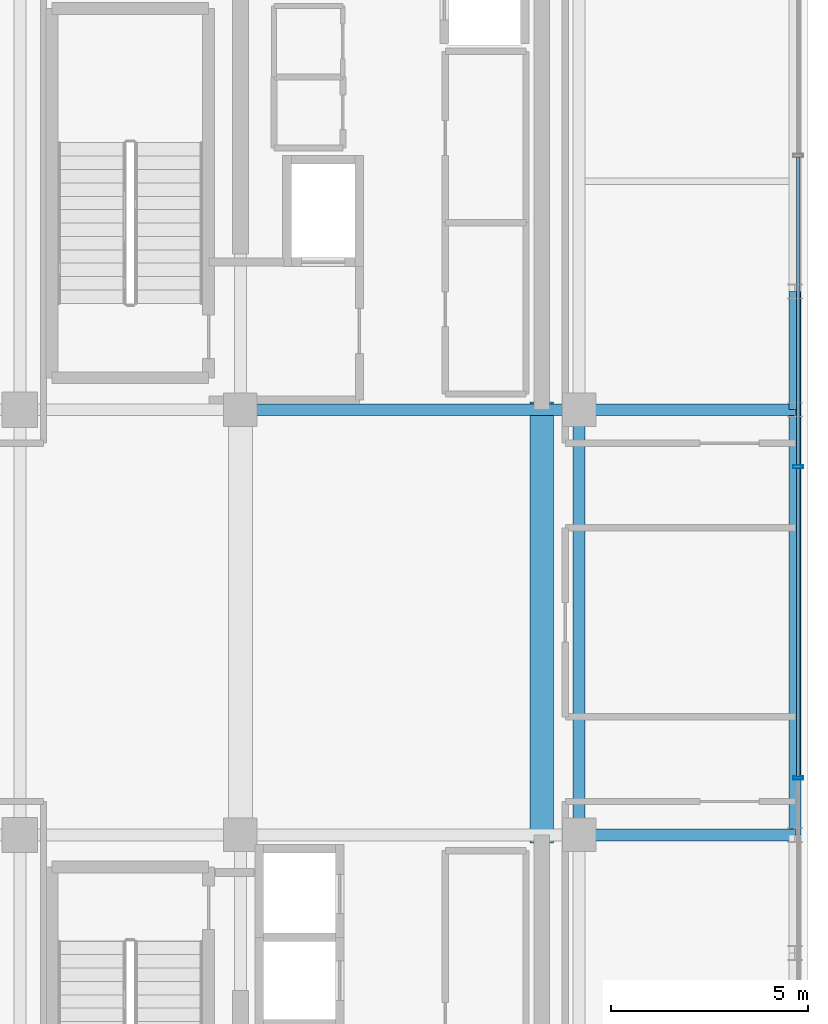
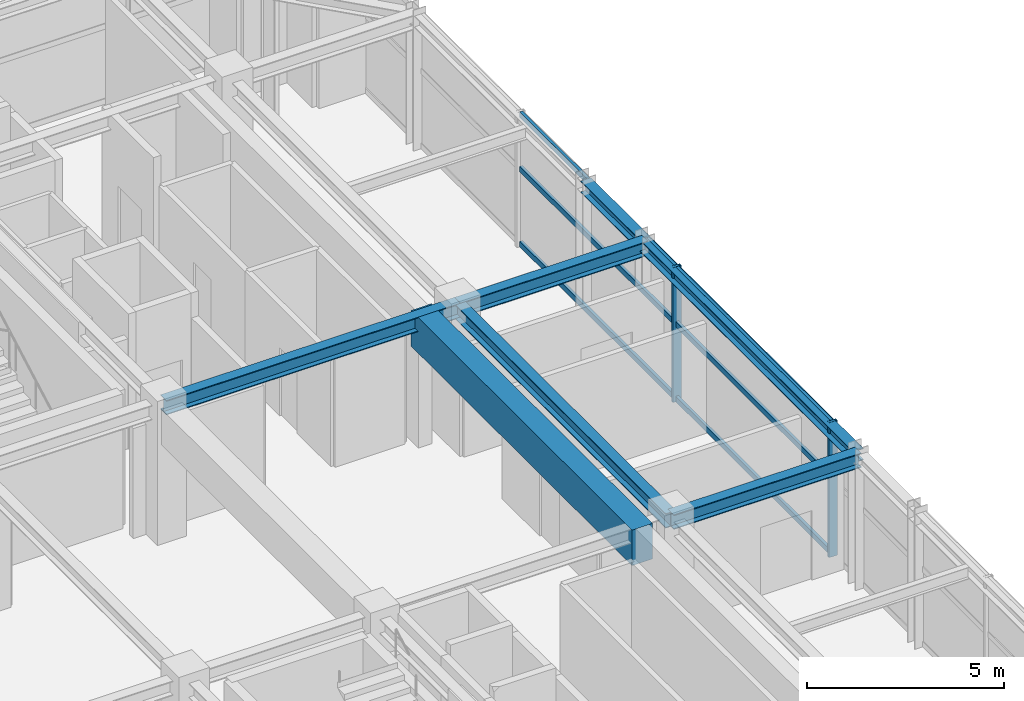
# One storey, part 11 of 20: 8 members, 7 beams, 1 element without a shape of its own.
"""IFC4 building model written with IfcOpenShell, lengths in metres."""

from ifc_helpers import new_model, si_unit, direction, frame, origin, origin_2d, place, context, subcontext, project, spatial, rectangle, hollow_rectangle, i_section, extrude, source, transform, mapped, material, material_profile, profile_set, type_object, element, aggregate, save


model = new_model("IFC4")

# Units and contexts
model_context = context("Model", 3, precision=1e-05, world=origin(), true_north=direction((0.0, 1.0)))
body_context = subcontext(model_context, "Body", "Model", "MODEL_VIEW")
ifc_project = project(units=[si_unit("LENGTHUNIT", "METRE"), si_unit("AREAUNIT", "SQUARE_METRE"), si_unit("VOLUMEUNIT", "CUBIC_METRE"), si_unit("PLANEANGLEUNIT", "RADIAN"), si_unit("MASSUNIT", "GRAM", prefix="KILO")], contexts=[model_context])

# Site, building, storey
site_placement = place(None, origin())
site = spatial("IfcSite", under=ifc_project, at=site_placement, CompositionType="ELEMENT")
building_placement = place(site_placement, origin())
building = spatial("IfcBuilding", under=site, at=building_placement, Name="Nahalor Promenade Grand Hotel", CompositionType="ELEMENT")
storey_placement = place(building_placement, frame((0.0, 0.0, 347.550048828125)))
storey = spatial("IfcBuildingStorey", under=building, at=storey_placement, Name="L89", CompositionType="ELEMENT", Elevation=347.550048828125)

# Beams
ifc_material_1 = material(Name="Concrete B-60 (C50/60)", Category="concrete")
ifc_material_profile_1 = material_profile(ifc_material_1, rectangle(XDim=0.6, YDim=1.1, at=origin_2d()), Name="RC 600x1100")
ifc_profile_set_1 = profile_set([ifc_material_profile_1], Name="Concrete B-60 (C50/60)")
beam_type_1 = type_object("IfcBeamType", Name="Beam-Lintel-RC1100", PredefinedType="LINTEL", material=ifc_profile_set_1)
shared_shape_1 = source(origin(), body_context, "Body", "SweptSolid", [
    extrude(rectangle(XDim=0.6, YDim=1.1, at=origin_2d()), origin(), (0.0, 0.0, 1.0), 11.2001953125),
])
beam_1_placement = place(storey_placement, frame((16.050048828125, -5.60009765625, 3.619873046875), z_axis=(0.0, 1.0, 0.0), x_axis=(-1.0, 0.0, 0.0)))
element("IfcBeam", 1, at=beam_1_placement, inside=storey, type_object=beam_type_1, Name="BM-L89-LINT-E", PredefinedType="LINTEL", context=body_context, shape_type="MappedRepresentation", body=[
    mapped(shared_shape_1, transform((0.0, 0.0, 0.0), scale=1.0)),
])
ifc_material_2 = material(Name="Steel S355JR", Category="steel")
ifc_material_profile_2 = material_profile(ifc_material_2, i_section(OverallWidth=0.3, OverallDepth=0.45, WebThickness=0.014, FlangeThickness=0.026, at=origin_2d()), Name="HEB 450")
ifc_profile_set_2 = profile_set([ifc_material_profile_2], Name="Steel S355JR")
beam_type_2 = type_object("IfcBeamType", Name="Beam-Girder-HEB450", PredefinedType="BEAM", material=ifc_profile_set_2)
shared_shape_2 = source(origin(), body_context, "Body", "SweptSolid", [
    extrude(i_section(OverallWidth=0.3, OverallDepth=0.45, WebThickness=0.014, FlangeThickness=0.026, at=origin_2d()), origin(), (0.0, 0.0, 1.0), 8.60009765625),
])
beam_2_placement = place(storey_placement, frame((8.39990234375, 5.39990234375, 3.945068359375), z_axis=(1.0, 0.0, 0.0), x_axis=(0.0, 1.0, 0.0)))
element("IfcBeam", 2, at=beam_2_placement, inside=storey, type_object=beam_type_2, Name="BM-L89-GX-2-5", PredefinedType="BEAM", context=body_context, shape_type="MappedRepresentation", body=[
    mapped(shared_shape_2, transform((0.0, 0.0, 0.0), scale=1.0)),
])
shared_shape_3 = source(origin(), body_context, "Body", "SweptSolid", [
    extrude(i_section(OverallWidth=0.3, OverallDepth=0.45, WebThickness=0.014, FlangeThickness=0.026, at=origin_2d()), origin(), (0.0, 0.0, 1.0), 10.7998046875),
])
beam_3_placement = place(storey_placement, frame((17.0, -5.39990234375, 3.945068359375), z_axis=(0.0, 1.0, 0.0), x_axis=(-1.0, 0.0, 0.0)))
element("IfcBeam", 3, at=beam_3_placement, inside=storey, type_object=beam_type_2, Name="BM-L89-GY-5-2", PredefinedType="BEAM", context=body_context, shape_type="MappedRepresentation", body=[
    mapped(shared_shape_3, transform((0.0, 0.0, 0.0), scale=1.0)),
])
shared_shape_4 = source(origin(), body_context, "Body", "SweptSolid", [
    extrude(i_section(OverallWidth=0.3, OverallDepth=0.45, WebThickness=0.014, FlangeThickness=0.026, at=origin_2d()), origin(), (0.0, 0.0, 1.0), 5.47998046875),
])
for number, where, z_axis, x_axis, name in (
    (4, (17.0, -5.39990234375, 3.945068359375), (1.0, 0.0, 0.0), (0.0, 1.0, 0.0), "BM-L89-GX-1-6"),
    (5, (17.0, 5.39990234375, 3.945068359375), (1.0, 0.0, 0.0), (0.0, 1.0, 0.0), "BM-L89-GX-2-6"),
):
    element("IfcBeam", number, at=place(storey_placement, frame(where, z_axis=z_axis, x_axis=x_axis)), inside=storey, type_object=beam_type_2, Name=name, PredefinedType="BEAM", context=body_context, shape_type="MappedRepresentation", body=[
        mapped(shared_shape_4, transform((0.0, 0.0, 0.0), scale=1.0)),
    ])
ifc_material_profile_3 = material_profile(ifc_material_2, i_section(OverallWidth=0.3, OverallDepth=0.36, WebThickness=0.0125, FlangeThickness=0.0225, at=origin_2d()), Name="HEB 360")
ifc_profile_set_3 = profile_set([ifc_material_profile_3], Name="Steel S355JR")
beam_type_3 = type_object("IfcBeamType", Name="Beam-Spandrel-HEB360", PredefinedType="SPANDREL", material=ifc_profile_set_3)
shared_shape_5 = source(origin(), body_context, "Body", "SweptSolid", [
    extrude(i_section(OverallWidth=0.3, OverallDepth=0.36, WebThickness=0.0125, FlangeThickness=0.0225, at=origin_2d()), origin(), (0.0, 0.0, 1.0), 3.0),
])
beam_4_placement = place(storey_placement, frame((22.47998046875, 5.39990234375, 3.989990234375), z_axis=(0.0, 1.0, 0.0), x_axis=(-1.0, 0.0, 0.0)))
element("IfcBeam", 6, at=beam_4_placement, inside=storey, type_object=beam_type_3, Name="BM-L89-SP-E-3", PredefinedType="SPANDREL", context=body_context, shape_type="MappedRepresentation", body=[
    mapped(shared_shape_5, transform((0.0, 0.0, 0.0), scale=1.0)),
])
shared_shape_6 = source(origin(), body_context, "Body", "SweptSolid", [
    extrude(i_section(OverallWidth=0.3, OverallDepth=0.36, WebThickness=0.0125, FlangeThickness=0.0225, at=origin_2d()), origin(), (0.0, 0.0, 1.0), 10.7998046875),
])
beam_5_placement = place(storey_placement, frame((22.47998046875, -5.39990234375, 3.989990234375), z_axis=(0.0, 1.0, 0.0), x_axis=(-1.0, 0.0, 0.0)))
element("IfcBeam", 7, at=beam_5_placement, inside=storey, type_object=beam_type_3, Name="BM-L89-SP-E-2", PredefinedType="SPANDREL", context=body_context, shape_type="MappedRepresentation", body=[
    mapped(shared_shape_6, transform((0.0, 0.0, 0.0), scale=1.0)),
])

# Curtain wall, members
ifc_material_3 = material(Name="Anodised Bronze Aluminium EN AW-6063 T6", Category="aluminium")
curtain_wall_type = type_object("IfcCurtainWallType", Name="CW5 Sky-Lobby & Observation Panoramic Curtain Wall", PredefinedType="USERDEFINED", material=ifc_material_3)
curtain_wall_placement = place(storey_placement, origin())
curtain_wall = element("IfcCurtainWall", 8, at=curtain_wall_placement, inside=storey, type_object=curtain_wall_type, Name="L89 Curtain Wall CW-L89-E-1", ObjectType="UNITISED_CURTAIN_WALL", PredefinedType="USERDEFINED")
ifc_material_profile_4 = material_profile(ifc_material_3, hollow_rectangle(XDim=0.085, YDim=0.25, WallThickness=0.006, at=origin_2d()), Name="CWM 85x250x6")
ifc_profile_set_4 = profile_set([ifc_material_profile_4], Name="Anodised Bronze Aluminium EN AW-6063 T6")
member_type_1 = type_object("IfcMemberType", Name="CWM5 Panoramic Deep Mullion 85x250", PredefinedType="MULLION", material=ifc_profile_set_4)
shared_shape_7 = source(origin(), body_context, "Body", "SweptSolid", [
    extrude(hollow_rectangle(XDim=0.085, YDim=0.25, WallThickness=0.006, at=origin_2d()), origin(), (0.0, 0.0, 1.0), 4.169921875),
])
member_1_placement = place(storey_placement, frame((22.56005859375, -3.951904296875, 0.0), z_axis=(0.0, 0.0, 1.0), x_axis=(0.0, 1.0, 0.0)))
member_1 = element("IfcMember", 9, at=member_1_placement, type_object=member_type_1, Name="CW-L89-E-1 Mullion 2", PredefinedType="MULLION", context=body_context, shape_type="MappedRepresentation", body=[
    mapped(shared_shape_7, transform((0.0, 0.0, 0.0), scale=1.0)),
])
member_2_placement = place(storey_placement, frame((22.56005859375, 3.951904296875, 0.0), z_axis=(0.0, 0.0, 1.0), x_axis=(0.0, 1.0, 0.0)))
member_2 = element("IfcMember", 10, at=member_2_placement, type_object=member_type_1, Name="CW-L89-E-1 Mullion 3", PredefinedType="MULLION", context=body_context, shape_type="MappedRepresentation", body=[
    mapped(shared_shape_7, transform((0.0, 0.0, 0.0), scale=1.0)),
])
ifc_material_profile_5 = material_profile(ifc_material_3, hollow_rectangle(XDim=0.085, YDim=0.17, WallThickness=0.005, at=origin_2d()), Name="CWT 85x170x5")
ifc_profile_set_5 = profile_set([ifc_material_profile_5], Name="Anodised Bronze Aluminium EN AW-6063 T6")
member_type_2 = type_object("IfcMemberType", Name="CWT5 Panoramic Transom 85x170", PredefinedType="USERDEFINED", material=ifc_profile_set_5)
shared_shape_8 = source(origin(), body_context, "Body", "SweptSolid", [
    extrude(hollow_rectangle(XDim=0.085, YDim=0.17, WallThickness=0.005, at=origin_2d()), origin(), (0.0, 0.0, 1.0), 7.819091796875),
])
member_3_placement = place(storey_placement, frame((22.56005859375, 3.994384765625, 0.0849609375), z_axis=(0.0, 1.0, 0.0), x_axis=(-1.0, 0.0, 0.0)))
member_3 = element("IfcMember", 11, at=member_3_placement, type_object=member_type_2, Name="CW-L89-E-1 Transom 3-0", ObjectType="TRANSOM", PredefinedType="USERDEFINED", context=body_context, shape_type="MappedRepresentation", body=[
    mapped(shared_shape_8, transform((0.0, 0.0, 0.0), scale=1.0)),
])
member_4_placement = place(storey_placement, frame((22.56005859375, 3.994384765625, 2.39990234375), z_axis=(0.0, 1.0, 0.0), x_axis=(-1.0, 0.0, 0.0)))
member_4 = element("IfcMember", 12, at=member_4_placement, type_object=member_type_2, Name="CW-L89-E-1 Transom 3-1", ObjectType="TRANSOM", PredefinedType="USERDEFINED", context=body_context, shape_type="MappedRepresentation", body=[
    mapped(shared_shape_8, transform((0.0, 0.0, 0.0), scale=1.0)),
])
member_5_placement = place(storey_placement, frame((22.56005859375, 3.994384765625, 4.0849609375), z_axis=(0.0, 1.0, 0.0), x_axis=(-1.0, 0.0, 0.0)))
member_5 = element("IfcMember", 13, at=member_5_placement, type_object=member_type_2, Name="CW-L89-E-1 Transom 3-2", ObjectType="TRANSOM", PredefinedType="USERDEFINED", context=body_context, shape_type="MappedRepresentation", body=[
    mapped(shared_shape_8, transform((0.0, 0.0, 0.0), scale=1.0)),
])
shared_shape_9 = source(origin(), body_context, "Body", "SweptSolid", [
    extrude(hollow_rectangle(XDim=0.085, YDim=0.17, WallThickness=0.005, at=origin_2d()), origin(), (0.0, 0.0, 1.0), 7.81884765625),
])
member_6_placement = place(storey_placement, frame((22.56005859375, -3.909423828125, 0.0849609375), z_axis=(0.0, 1.0, 0.0), x_axis=(-1.0, 0.0, 0.0)))
member_6 = element("IfcMember", 14, at=member_6_placement, type_object=member_type_2, Name="CW-L89-E-1 Transom 2-0", ObjectType="TRANSOM", PredefinedType="USERDEFINED", context=body_context, shape_type="MappedRepresentation", body=[
    mapped(shared_shape_9, transform((0.0, 0.0, 0.0), scale=1.0)),
])
member_7_placement = place(storey_placement, frame((22.56005859375, -3.909423828125, 2.39990234375), z_axis=(0.0, 1.0, 0.0), x_axis=(-1.0, 0.0, 0.0)))
member_7 = element("IfcMember", 15, at=member_7_placement, type_object=member_type_2, Name="CW-L89-E-1 Transom 2-1", ObjectType="TRANSOM", PredefinedType="USERDEFINED", context=body_context, shape_type="MappedRepresentation", body=[
    mapped(shared_shape_9, transform((0.0, 0.0, 0.0), scale=1.0)),
])
member_8_placement = place(storey_placement, frame((22.56005859375, -3.909423828125, 4.0849609375), z_axis=(0.0, 1.0, 0.0), x_axis=(-1.0, 0.0, 0.0)))
member_8 = element("IfcMember", 16, at=member_8_placement, type_object=member_type_2, Name="CW-L89-E-1 Transom 2-2", ObjectType="TRANSOM", PredefinedType="USERDEFINED", context=body_context, shape_type="MappedRepresentation", body=[
    mapped(shared_shape_9, transform((0.0, 0.0, 0.0), scale=1.0)),
])
aggregate(curtain_wall, [member_1, member_2, member_6, member_7, member_8, member_3, member_4, member_5])

save(model, "model.ifc")
